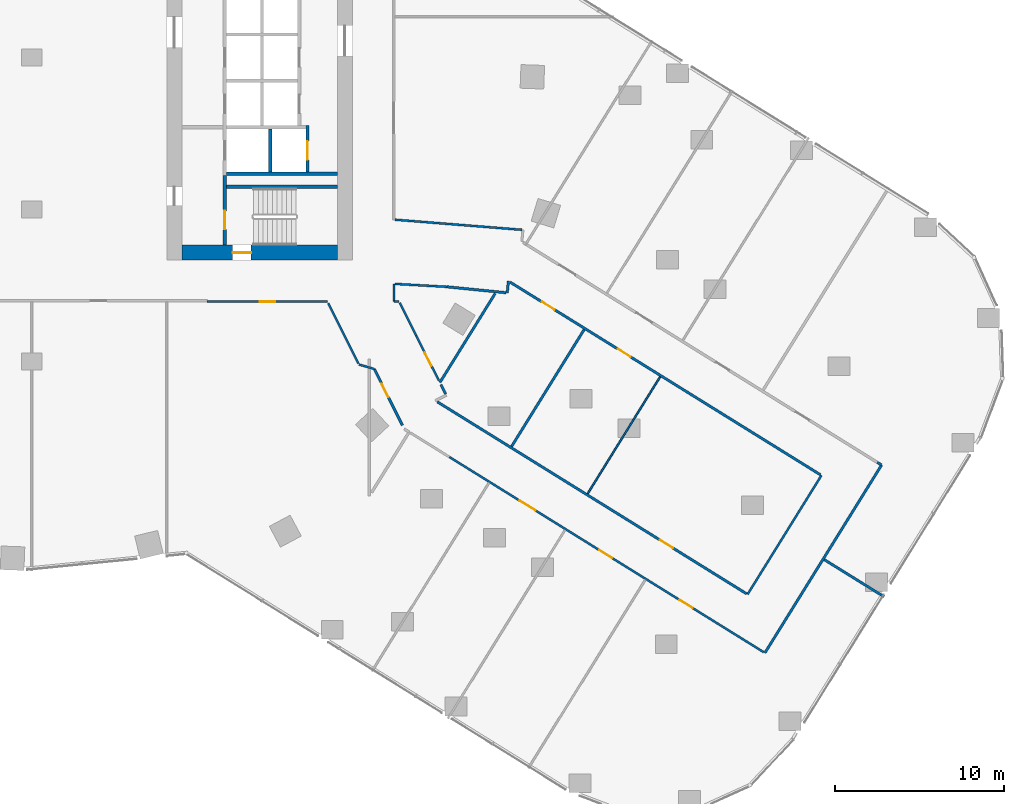
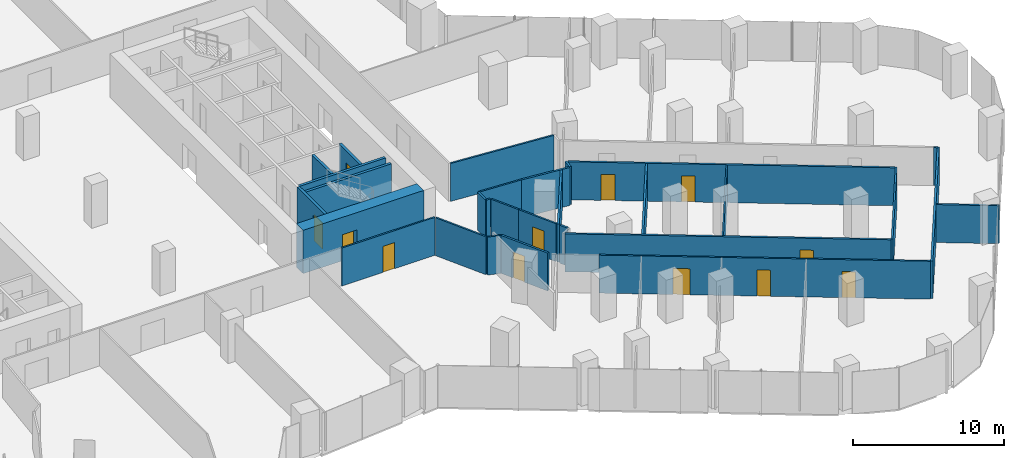
# One storey, part 30 of 34: 29 walls, 12 doors, 12 openings.
"""IFC4 building model written with IfcOpenShell, lengths in metres."""

from ifc_helpers import new_model, si_unit, direction, frame, frame_2d, origin, place, context, subcontext, project, spatial, rectangle, extrude, material, layer, layer_set, type_object, element, fill, save


model = new_model("IFC4")

# Units and contexts
model_context = context("Model", 3, precision=1e-05, world=origin(), true_north=direction((0.0, 1.0)))
body_context = subcontext(model_context, "Body", "Model", "MODEL_VIEW")
ifc_project = project(units=[si_unit("LENGTHUNIT", "METRE"), si_unit("AREAUNIT", "SQUARE_METRE"), si_unit("VOLUMEUNIT", "CUBIC_METRE"), si_unit("PLANEANGLEUNIT", "RADIAN"), si_unit("MASSUNIT", "GRAM", prefix="KILO")], contexts=[model_context])

# Site, building, storey
site_placement = place(None, origin())
site = spatial("IfcSite", under=ifc_project, at=site_placement, CompositionType="ELEMENT")
building_placement = place(site_placement, origin())
building = spatial("IfcBuilding", under=site, at=building_placement, Name="Orlundy Tower", CompositionType="ELEMENT")
storey_placement = place(building_placement, frame((0.0, 0.0, 47.800048828125)))
storey = spatial("IfcBuildingStorey", under=building, at=storey_placement, Name="L10", CompositionType="ELEMENT", Elevation=47.800048828125)

# Wall, opening, door
ifc_material_1 = material(Name="Concrete C80/95", Category="concrete")
ifc_layer_1 = layer(ifc_material_1, 0.89990234375)
ifc_layer_set_1 = layer_set([ifc_layer_1], Name="CORE WALL 900 C80/95")
wall_type_1 = type_object("IfcWallType", Name="CORE WALL 900 C80/95", PredefinedType="SHEAR", material=ifc_layer_set_1)
wall_1_placement = place(storey_placement, frame((8.89990234375, -11.550048828125, 0.0), z_axis=(0.0, 0.0, 1.0), x_axis=(1.0, 0.0, 0.0)))
wall_1 = element("IfcWall", 1, at=wall_1_placement, inside=storey, type_object=wall_type_1, Name="Core wall E-S L10", PredefinedType="SHEAR", context=body_context, shape_type="SweptSolid", body=[
    extrude(rectangle(XDim=9.2001953125, YDim=0.89990234375, at=frame_2d((4.60009765625, 0.0))), origin(), (0.0, 0.0, 1.0), 3.5),
])
opening_1_placement = place(wall_1_placement, frame((3.0, 0.0, 0.0)))
opening_1 = element("IfcOpeningElement", 2, at=opening_1_placement, cuts=wall_1, Name="Opening 09061", PredefinedType="OPENING", context=body_context, shape_type="SweptSolid", body=[
    extrude(rectangle(XDim=1.10009765625, YDim=2.10009765625, at=frame_2d((0.550048828125, 1.050048828125))), frame((0.0, 0.4599609375, 0.0), z_axis=(0.0, -1.0, 0.0), x_axis=(1.0, 0.0, 0.0)), (0.0, 0.0, 1.0), 0.919921875),
])
ifc_material_2 = material(Name="Steel door set", Category="steel")
door_type_1 = type_object("IfcDoorType", Name="Stair Door 1100x2100", OperationType="SINGLE_SWING_LEFT", PredefinedType="DOOR", material=ifc_material_2)
door_1_placement = place(opening_1_placement, origin())
door_1 = element("IfcDoor", 3, at=door_1_placement, inside=storey, type_object=door_type_1, Name="Stair door 09061", OperationType="SINGLE_SWING_LEFT", OverallHeight=2.10009765625, OverallWidth=1.10009765625, PredefinedType="DOOR", context=body_context, shape_type="SweptSolid", body=[
    extrude(rectangle(XDim=1.10009765625, YDim=2.10009765625, at=frame_2d((0.550048828125, 1.050048828125))), frame((0.0, 0.02490234375, 0.0), z_axis=(0.0, -1.0, 0.0), x_axis=(1.0, 0.0, 0.0)), (0.0, 0.0, 1.0), 0.050048828125),
])
fill(opening_1, door_1)

# Walls
ifc_material_3 = material(Name="Gypsum board partition")
ifc_layer_2 = layer(ifc_material_3, 0.10009765625)
ifc_layer_set_2 = layer_set([ifc_layer_2], Name="Floor partition 100")
wall_type_2 = type_object("IfcWallType", Name="Floor partition 100", PredefinedType="PARTITIONING", material=ifc_layer_set_2)
wall_2_placement = place(storey_placement, frame((32.930908203125, -25.827880859375, 0.0), z_axis=(0.0, 0.0, 1.0), x_axis=(0.527378524743, 0.849630444158, 0.0)))
element("IfcWall", 4, at=wall_2_placement, inside=storey, type_object=wall_type_2, Name="wall-int-L10-061", PredefinedType="PARTITIONING", context=body_context, shape_type="SweptSolid", body=[
    extrude(rectangle(XDim=8.148193359375, YDim=0.10009765625, at=frame_2d((4.07421875, 0.0))), origin(), (0.0, 0.0, 1.0), 3.06005859375),
])
ifc_material_4 = material(Name="Gypsum board partition, double layer")
ifc_layer_3 = layer(ifc_material_4, 0.125)
ifc_layer_set_3 = layer_set([ifc_layer_3], Name="Floor partition 125")
wall_type_3 = type_object("IfcWallType", Name="Floor partition 125", PredefinedType="PARTITIONING", material=ifc_layer_set_3)
wall_3_placement = place(storey_placement, frame((17.56396484375, -14.541015625, 0.0), z_axis=(0.0, 0.0, 1.0), x_axis=(0.446749443477, -0.894659116509, 0.0)))
element("IfcWall", 5, at=wall_3_placement, inside=storey, type_object=wall_type_3, Name="wall-int-L10-002", PredefinedType="PARTITIONING", context=body_context, shape_type="SweptSolid", body=[
    extrude(rectangle(XDim=3.998046875, YDim=0.125, at=frame_2d((1.9990234375, 0.0))), origin(), (0.0, 0.0, 1.0), 3.06005859375),
])
wall_4_placement = place(storey_placement, frame((21.804931640625, -14.527099609375, 0.0), z_axis=(0.0, 0.0, 1.0), x_axis=(0.446720903114, -0.894673367616, 0.0)))
element("IfcWall", 6, at=wall_4_placement, inside=storey, type_object=wall_type_3, Name="wall-int-L10-004", PredefinedType="PARTITIONING", context=body_context, shape_type="SweptSolid", body=[
    extrude(rectangle(XDim=2.1806640625, YDim=0.125, at=frame_2d((1.09033203125, 0.0))), origin(), (0.0, 0.0, 1.0), 3.06005859375),
])

# Wall, opening, door
wall_5_placement = place(storey_placement, frame((22.779052734375, -16.47802734375, 0.0), z_axis=(0.0, 0.0, 1.0), x_axis=(0.451638349486, -0.892201099121, 0.0)))
wall_5 = element("IfcWall", 7, at=wall_5_placement, inside=storey, type_object=wall_type_3, Name="wall-int-L10-006", PredefinedType="PARTITIONING", context=body_context, shape_type="SweptSolid", body=[
    extrude(rectangle(XDim=2.975830078125, YDim=0.125, at=frame_2d((1.48779296875, 0.0))), origin(), (0.0, 0.0, 1.0), 3.06005859375),
])
opening_2_placement = place(wall_5_placement, frame((1.10009765625, 0.0, 0.0)))
opening_2 = element("IfcOpeningElement", 8, at=opening_2_placement, cuts=wall_5, Name="Opening 09128", PredefinedType="OPENING", context=body_context, shape_type="SweptSolid", body=[
    extrude(rectangle(XDim=0.89990234375, YDim=2.10009765625, at=frame_2d((0.449951171875, 1.050048828125))), frame((0.0, 0.072509765625, 0.0), z_axis=(0.0, -1.0, 0.0), x_axis=(1.0, 0.0, 0.0)), (0.0, 0.0, 1.0), 0.14501953125),
])
ifc_material_5 = material(Name="Timber door leaf", Category="wood")
door_type_2 = type_object("IfcDoorType", Name="Floor door single 900 FD30S", OperationType="NOTDEFINED", PredefinedType="DOOR", material=ifc_material_5)
door_2_placement = place(opening_2_placement, origin())
door_2 = element("IfcDoor", 9, at=door_2_placement, inside=storey, type_object=door_type_2, Name="Door 09128", OperationType="SINGLE_SWING_RIGHT", OverallHeight=2.10009765625, OverallWidth=0.89990234375, PredefinedType="DOOR", context=body_context, shape_type="SweptSolid", body=[
    extrude(rectangle(XDim=0.89990234375, YDim=2.10009765625, at=frame_2d((0.449951171875, 1.050048828125))), frame((0.0, 0.02490234375, 0.0), z_axis=(0.0, -1.0, 0.0), x_axis=(1.0, 0.0, 0.0)), (0.0, 0.0, 1.0), 0.050048828125),
])
fill(opening_2, door_2)

# Wall, openings, doors
wall_6_placement = place(storey_placement, frame((43.366943359375, -35.222900390625, 0.0), z_axis=(0.0, 0.0, 1.0), x_axis=(-0.849563429412, 0.527486473197, 0.0)))
wall_6 = element("IfcWall", 10, at=wall_6_placement, inside=storey, type_object=wall_type_3, Name="wall-int-L10-021", PredefinedType="PARTITIONING", context=body_context, shape_type="SweptSolid", body=[
    extrude(rectangle(XDim=21.926513671875, YDim=0.125, at=frame_2d((10.96337890625, 0.0))), origin(), (0.0, 0.0, 1.0), 3.06005859375),
])
opening_3_placement = place(wall_6_placement, frame((10.57373046875, 0.0, 0.0)))
opening_3 = element("IfcOpeningElement", 11, at=opening_3_placement, cuts=wall_6, Name="Opening 09105", PredefinedType="OPENING", context=body_context, shape_type="SweptSolid", body=[
    extrude(rectangle(XDim=0.89990234375, YDim=2.10009765625, at=frame_2d((0.449951171875, 1.050048828125))), frame((0.0, 0.072509765625, 0.0), z_axis=(0.0, -1.0, 0.0), x_axis=(1.0, 0.0, 0.0)), (0.0, 0.0, 1.0), 0.14501953125),
])
opening_4_placement = place(wall_6_placement, frame((4.97314453125, 0.0, 0.0)))
opening_4 = element("IfcOpeningElement", 12, at=opening_4_placement, cuts=wall_6, Name="Opening 09108", PredefinedType="OPENING", context=body_context, shape_type="SweptSolid", body=[
    extrude(rectangle(XDim=0.89990234375, YDim=2.10009765625, at=frame_2d((0.449951171875, 1.050048828125))), frame((0.0, 0.072509765625, 0.0), z_axis=(0.0, -1.0, 0.0), x_axis=(1.0, 0.0, 0.0)), (0.0, 0.0, 1.0), 0.14501953125),
])
opening_5_placement = place(wall_6_placement, frame((15.922607421875, 0.0, 0.0)))
opening_5 = element("IfcOpeningElement", 13, at=opening_5_placement, cuts=wall_6, Name="Opening 09109", PredefinedType="OPENING", context=body_context, shape_type="SweptSolid", body=[
    extrude(rectangle(XDim=1.10009765625, YDim=2.10009765625, at=frame_2d((0.550048828125, 1.050048828125))), frame((0.0, 0.072509765625, 0.0), z_axis=(0.0, -1.0, 0.0), x_axis=(1.0, 0.0, 0.0)), (0.0, 0.0, 1.0), 0.14501953125),
])
door_3_placement = place(opening_3_placement, origin())
door_3 = element("IfcDoor", 14, at=door_3_placement, inside=storey, type_object=door_type_2, Name="Door 09105", OperationType="SINGLE_SWING_RIGHT", OverallHeight=2.10009765625, OverallWidth=0.89990234375, PredefinedType="DOOR", context=body_context, shape_type="SweptSolid", body=[
    extrude(rectangle(XDim=0.89990234375, YDim=2.10009765625, at=frame_2d((0.449951171875, 1.050048828125))), frame((0.0, 0.02490234375, 0.0), z_axis=(0.0, -1.0, 0.0), x_axis=(1.0, 0.0, 0.0)), (0.0, 0.0, 1.0), 0.050048828125),
])
fill(opening_3, door_3)
door_4_placement = place(opening_4_placement, origin())
door_4 = element("IfcDoor", 15, at=door_4_placement, inside=storey, type_object=door_type_2, Name="Door 09108", OperationType="SINGLE_SWING_LEFT", OverallHeight=2.10009765625, OverallWidth=0.89990234375, PredefinedType="DOOR", context=body_context, shape_type="SweptSolid", body=[
    extrude(rectangle(XDim=0.89990234375, YDim=2.10009765625, at=frame_2d((0.449951171875, 1.050048828125))), frame((0.0, 0.02490234375, 0.0), z_axis=(0.0, -1.0, 0.0), x_axis=(1.0, 0.0, 0.0)), (0.0, 0.0, 1.0), 0.050048828125),
])
fill(opening_4, door_4)
ifc_material_6 = material(Name="Timber door leaf", Category="wood")
door_type_3 = type_object("IfcDoorType", Name="Floor door xwide 1100 FD30S", OperationType="NOTDEFINED", PredefinedType="DOOR", material=ifc_material_6)
door_5_placement = place(opening_5_placement, origin())
door_5 = element("IfcDoor", 16, at=door_5_placement, inside=storey, type_object=door_type_3, Name="Door 09109", OperationType="SINGLE_SWING_RIGHT", OverallHeight=2.10009765625, OverallWidth=1.10009765625, PredefinedType="DOOR", context=body_context, shape_type="SweptSolid", body=[
    extrude(rectangle(XDim=1.10009765625, YDim=2.10009765625, at=frame_2d((0.550048828125, 1.050048828125))), frame((0.0, 0.02490234375, 0.0), z_axis=(0.0, -1.0, 0.0), x_axis=(1.0, 0.0, 0.0)), (0.0, 0.0, 1.0), 0.050048828125),
])
fill(opening_5, door_5)

# Walls
wall_7_placement = place(storey_placement, frame((24.60400390625, -13.576904296875, 0.0), z_axis=(0.0, 0.0, 1.0), x_axis=(-0.998441130735, 0.055814948327, 0.0)))
element("IfcWall", 17, at=wall_7_placement, inside=storey, type_object=wall_type_3, Name="wall-int-L10-030", PredefinedType="PARTITIONING", context=body_context, shape_type="SweptSolid", body=[
    extrude(rectangle(XDim=3.096923828125, YDim=0.125, at=frame_2d((1.54833984375, 0.0))), origin(), (0.0, 0.0, 1.0), 3.06005859375),
])
wall_8_placement = place(storey_placement, frame((29.0400390625, -10.198974609375, 0.0), z_axis=(0.0, 0.0, 1.0), x_axis=(-0.996840412967, 0.079430416561, 0.0)))
element("IfcWall", 18, at=wall_8_placement, inside=storey, type_object=wall_type_3, Name="wall-int-L10-031", PredefinedType="PARTITIONING", context=body_context, shape_type="SweptSolid", body=[
    extrude(rectangle(XDim=7.552001953125, YDim=0.125, at=frame_2d((3.77587890625, 0.0))), origin(), (0.0, 0.0, 1.0), 3.06005859375),
])

# Wall, opening, door
wall_9_placement = place(storey_placement, frame((17.51904296875, -14.450927734375, 0.0), z_axis=(0.0, 0.0, 1.0), x_axis=(-1.0, 0.0, 0.0)))
wall_9 = element("IfcWall", 19, at=wall_9_placement, inside=storey, type_object=wall_type_3, Name="wall-int-L10-035", PredefinedType="PARTITIONING", context=body_context, shape_type="SweptSolid", body=[
    extrude(rectangle(XDim=7.1279296875, YDim=0.125, at=frame_2d((3.56396484375, 0.0))), origin(), (0.0, 0.0, 1.0), 3.06005859375),
])
opening_6_placement = place(wall_9_placement, frame((3.10009765625, 0.0, 0.0)))
opening_6 = element("IfcOpeningElement", 20, at=opening_6_placement, cuts=wall_9, Name="Opening 09127", PredefinedType="OPENING", context=body_context, shape_type="SweptSolid", body=[
    extrude(rectangle(XDim=0.89990234375, YDim=2.10009765625, at=frame_2d((0.449951171875, 1.050048828125))), frame((0.0, 0.072509765625, 0.0), z_axis=(0.0, -1.0, 0.0), x_axis=(1.0, 0.0, 0.0)), (0.0, 0.0, 1.0), 0.14501953125),
])
door_6_placement = place(opening_6_placement, origin())
door_6 = element("IfcDoor", 21, at=door_6_placement, inside=storey, type_object=door_type_2, Name="Door 09127", OperationType="SINGLE_SWING_LEFT", OverallHeight=2.10009765625, OverallWidth=0.89990234375, PredefinedType="DOOR", context=body_context, shape_type="SweptSolid", body=[
    extrude(rectangle(XDim=0.89990234375, YDim=2.10009765625, at=frame_2d((0.449951171875, 1.050048828125))), frame((0.0, 0.02490234375, 0.0), z_axis=(0.0, -1.0, 0.0), x_axis=(1.0, 0.0, 0.0)), (0.0, 0.0, 1.0), 0.050048828125),
])
fill(opening_6, door_6)

# Walls
wall_10_placement = place(storey_placement, frame((21.449951171875, -14.43896484375, 0.0), z_axis=(0.0, 0.0, 1.0), x_axis=(1.0, 0.0, 0.0)))
element("IfcWall", 22, at=wall_10_placement, inside=storey, type_object=wall_type_3, Name="wall-int-L10-036", PredefinedType="PARTITIONING", context=body_context, shape_type="SweptSolid", body=[
    extrude(rectangle(XDim=0.302001953125, YDim=0.125, at=frame_2d((0.15087890625, 0.0))), origin(), (0.0, 0.0, 1.0), 3.06005859375),
])
wall_11_placement = place(storey_placement, frame((19.37890625, -18.175048828125, 0.0), z_axis=(0.0, 0.0, 1.0), x_axis=(0.958442111331, -0.285287082127, 0.0)))
element("IfcWall", 23, at=wall_11_placement, inside=storey, type_object=wall_type_3, Name="wall-int-L10-045", PredefinedType="PARTITIONING", context=body_context, shape_type="SweptSolid", body=[
    extrude(rectangle(XDim=0.956787109375, YDim=0.125, at=frame_2d((0.478515625, 0.0))), origin(), (0.0, 0.0, 1.0), 3.06005859375),
])
wall_12_placement = place(storey_placement, frame((42.405029296875, -31.799072265625, 0.0), z_axis=(0.0, 0.0, 1.0), x_axis=(0.527540070889, 0.849530148733, 0.0)))
element("IfcWall", 24, at=wall_12_placement, inside=storey, type_object=wall_type_3, Name="wall-int-L10-057", PredefinedType="PARTITIONING", context=body_context, shape_type="SweptSolid", body=[
    extrude(rectangle(XDim=8.298828125, YDim=0.125, at=frame_2d((4.1494140625, 0.0))), origin(), (0.0, 0.0, 1.0), 3.06005859375),
])
wall_13_placement = place(storey_placement, frame((21.449951171875, -14.43896484375, 0.0), z_axis=(0.0, 0.0, 1.0), x_axis=(0.0, 1.0, 0.0)))
element("IfcWall", 25, at=wall_13_placement, inside=storey, type_object=wall_type_3, Name="wall-int-L10-074", PredefinedType="PARTITIONING", context=body_context, shape_type="SweptSolid", body=[
    extrude(rectangle(XDim=1.0390625, YDim=0.125, at=frame_2d((0.51953125, 0.0))), origin(), (0.0, 0.0, 1.0), 3.06005859375),
])

# Wall, opening, door
ifc_material_7 = material(Name="Blockwork shaft wall", Category="masonry")
ifc_layer_4 = layer(ifc_material_7, 0.14990234375)
ifc_layer_set_4 = layer_set([ifc_layer_4], Name="Floor shaft wall 150")
wall_type_4 = type_object("IfcWallType", Name="Floor shaft wall 150", PredefinedType="PARTITIONING", material=ifc_layer_set_4)
wall_14_placement = place(storey_placement, frame((21.95703125, -21.77587890625, 0.0), z_axis=(0.0, 0.0, 1.0), x_axis=(-0.446609612261, 0.894728927797, 0.0)))
wall_14 = element("IfcWall", 26, at=wall_14_placement, inside=storey, type_object=wall_type_4, Name="wall-int-L10-003", PredefinedType="PARTITIONING", context=body_context, shape_type="SweptSolid", body=[
    extrude(rectangle(XDim=3.719482421875, YDim=0.14990234375, at=frame_2d((1.85986328125, 0.0))), origin(), (0.0, 0.0, 1.0), 3.06005859375),
])
opening_7_placement = place(wall_14_placement, frame((1.85009765625, 0.0, 0.0)))
opening_7 = element("IfcOpeningElement", 27, at=opening_7_placement, cuts=wall_14, Name="Opening 09120", PredefinedType="OPENING", context=body_context, shape_type="SweptSolid", body=[
    extrude(rectangle(XDim=0.89990234375, YDim=2.10009765625, at=frame_2d((0.449951171875, 1.050048828125))), frame((0.0, 0.0849609375, 0.0), z_axis=(0.0, -1.0, 0.0), x_axis=(1.0, 0.0, 0.0)), (0.0, 0.0, 1.0), 0.169921875),
])
ifc_material_8 = material(Name="Timber door leaf", Category="wood")
door_type_4 = type_object("IfcDoorType", Name="Floor door single 900 FD60", OperationType="NOTDEFINED", PredefinedType="DOOR", material=ifc_material_8)
door_7_placement = place(opening_7_placement, origin())
door_7 = element("IfcDoor", 28, at=door_7_placement, inside=storey, type_object=door_type_4, Name="Door 09120", OperationType="SINGLE_SWING_RIGHT", OverallHeight=2.10009765625, OverallWidth=0.89990234375, PredefinedType="DOOR", context=body_context, shape_type="SweptSolid", body=[
    extrude(rectangle(XDim=0.89990234375, YDim=2.10009765625, at=frame_2d((0.449951171875, 1.050048828125))), frame((0.0, 0.02490234375, 0.0), z_axis=(0.0, -1.0, 0.0), x_axis=(1.0, 0.0, 0.0)), (0.0, 0.0, 1.0), 0.050048828125),
])
fill(opening_7, door_7)

# Wall
wall_15_placement = place(storey_placement, frame((24.239990234375, -19.364013671875, 0.0), z_axis=(0.0, 0.0, 1.0), x_axis=(0.451527001133, -0.892257455698, 0.0)))
element("IfcWall", 29, at=wall_15_placement, inside=storey, type_object=wall_type_4, Name="wall-int-L10-005", PredefinedType="PARTITIONING", context=body_context, shape_type="SweptSolid", body=[
    extrude(rectangle(XDim=0.633056640625, YDim=0.14990234375, at=frame_2d((0.31640625, 0.0))), origin(), (0.0, 0.0, 1.0), 3.06005859375),
])

# Wall, opening, door
wall_16_placement = place(storey_placement, frame((24.028076171875, -20.389892578125, 0.0), z_axis=(0.0, 0.0, 1.0), x_axis=(0.8496545068, -0.527339756775, 0.0)))
wall_16 = element("IfcWall", 30, at=wall_16_placement, inside=storey, type_object=wall_type_4, Name="wall-int-L10-022", PredefinedType="PARTITIONING", context=body_context, shape_type="SweptSolid", body=[
    extrude(rectangle(XDim=21.568603515625, YDim=0.14990234375, at=frame_2d((10.7841796875, 0.0))), origin(), (0.0, 0.0, 1.0), 3.06005859375),
])
opening_8_placement = place(wall_16_placement, frame((15.53173828125, 0.0, 0.0)))
opening_8 = element("IfcOpeningElement", 31, at=opening_8_placement, cuts=wall_16, Name="Opening 09106", PredefinedType="OPENING", context=body_context, shape_type="SweptSolid", body=[
    extrude(rectangle(XDim=0.89990234375, YDim=2.10009765625, at=frame_2d((0.449951171875, 1.050048828125))), frame((0.0, 0.0849609375, 0.0), z_axis=(0.0, -1.0, 0.0), x_axis=(1.0, 0.0, 0.0)), (0.0, 0.0, 1.0), 0.169921875),
])
door_8_placement = place(opening_8_placement, origin())
door_8 = element("IfcDoor", 32, at=door_8_placement, inside=storey, type_object=door_type_4, Name="Door 09106", OperationType="SINGLE_SWING_RIGHT", OverallHeight=2.10009765625, OverallWidth=0.89990234375, PredefinedType="DOOR", context=body_context, shape_type="SweptSolid", body=[
    extrude(rectangle(XDim=0.89990234375, YDim=2.10009765625, at=frame_2d((0.449951171875, 1.050048828125))), frame((0.0, 0.02490234375, 0.0), z_axis=(0.0, -1.0, 0.0), x_axis=(1.0, 0.0, 0.0)), (0.0, 0.0, 1.0), 0.050048828125),
])
fill(opening_8, door_8)

# Wall
wall_17_placement = place(storey_placement, frame((46.952880859375, -29.739013671875, 0.0), z_axis=(0.0, 0.0, 1.0), x_axis=(0.849653722919, -0.527341019767, 0.0)))
element("IfcWall", 33, at=wall_17_placement, inside=storey, type_object=wall_type_4, Name="wall-int-L10-023", PredefinedType="PARTITIONING", context=body_context, shape_type="SweptSolid", body=[
    extrude(rectangle(XDim=4.173583984375, YDim=0.14990234375, at=frame_2d((2.0869140625, 0.0))), origin(), (0.0, 0.0, 1.0), 3.06005859375),
])

# Wall, openings, doors
wall_18_placement = place(storey_placement, frame((46.72998046875, -24.716064453125, 0.0), z_axis=(0.0, 0.0, 1.0), x_axis=(-0.849574284109, 0.527468990349, 0.0)))
wall_18 = element("IfcWall", 34, at=wall_18_placement, inside=storey, type_object=wall_type_4, Name="wall-int-L10-024", PredefinedType="PARTITIONING", context=body_context, shape_type="SweptSolid", body=[
    extrude(rectangle(XDim=21.644775390625, YDim=0.14990234375, at=frame_2d((10.822265625, 0.0))), origin(), (0.0, 0.0, 1.0), 3.06005859375),
])
opening_9_placement = place(wall_18_placement, frame((18.537109375, 0.0, 0.0)))
opening_9 = element("IfcOpeningElement", 35, at=opening_9_placement, cuts=wall_18, Name="Opening 09102", PredefinedType="OPENING", context=body_context, shape_type="SweptSolid", body=[
    extrude(rectangle(XDim=0.89990234375, YDim=2.10009765625, at=frame_2d((0.449951171875, 1.050048828125))), frame((0.0, 0.0849609375, 0.0), z_axis=(0.0, -1.0, 0.0), x_axis=(1.0, 0.0, 0.0)), (0.0, 0.0, 1.0), 0.169921875),
])
opening_10_placement = place(wall_18_placement, frame((13.2373046875, 0.0, 0.0)))
opening_10 = element("IfcOpeningElement", 36, at=opening_10_placement, cuts=wall_18, Name="Opening 09103", PredefinedType="OPENING", context=body_context, shape_type="SweptSolid", body=[
    extrude(rectangle(XDim=0.89990234375, YDim=2.10009765625, at=frame_2d((0.449951171875, 1.050048828125))), frame((0.0, 0.0849609375, 0.0), z_axis=(0.0, -1.0, 0.0), x_axis=(1.0, 0.0, 0.0)), (0.0, 0.0, 1.0), 0.169921875),
])
door_9_placement = place(opening_9_placement, origin())
door_9 = element("IfcDoor", 37, at=door_9_placement, inside=storey, type_object=door_type_4, Name="Door 09102", OperationType="SINGLE_SWING_RIGHT", OverallHeight=2.10009765625, OverallWidth=0.89990234375, PredefinedType="DOOR", context=body_context, shape_type="SweptSolid", body=[
    extrude(rectangle(XDim=0.89990234375, YDim=2.10009765625, at=frame_2d((0.449951171875, 1.050048828125))), frame((0.0, 0.02490234375, 0.0), z_axis=(0.0, -1.0, 0.0), x_axis=(1.0, 0.0, 0.0)), (0.0, 0.0, 1.0), 0.050048828125),
])
fill(opening_9, door_9)
door_10_placement = place(opening_10_placement, origin())
door_10 = element("IfcDoor", 38, at=door_10_placement, inside=storey, type_object=door_type_4, Name="Door 09103", OperationType="SINGLE_SWING_RIGHT", OverallHeight=2.10009765625, OverallWidth=0.89990234375, PredefinedType="DOOR", context=body_context, shape_type="SweptSolid", body=[
    extrude(rectangle(XDim=0.89990234375, YDim=2.10009765625, at=frame_2d((0.449951171875, 1.050048828125))), frame((0.0, 0.02490234375, 0.0), z_axis=(0.0, -1.0, 0.0), x_axis=(1.0, 0.0, 0.0)), (0.0, 0.0, 1.0), 0.050048828125),
])
fill(opening_10, door_10)

# Walls
wall_19_placement = place(storey_placement, frame((50.087890625, -23.97509765625, 0.0), z_axis=(0.0, 0.0, 1.0), x_axis=(0.850230466056, -0.526410633051, 0.0)))
element("IfcWall", 39, at=wall_19_placement, inside=storey, type_object=wall_type_4, Name="wall-int-L10-025", PredefinedType="PARTITIONING", context=body_context, shape_type="SweptSolid", body=[
    extrude(rectangle(XDim=0.300048828125, YDim=0.14990234375, at=frame_2d((0.14990234375, 0.0))), origin(), (0.0, 0.0, 1.0), 3.06005859375),
])
wall_20_placement = place(storey_placement, frame((24.60400390625, -13.576904296875, 0.0), z_axis=(0.0, 0.0, 1.0), x_axis=(0.995072238477, -0.099152610724, 0.0)))
element("IfcWall", 40, at=wall_20_placement, inside=storey, type_object=wall_type_4, Name="wall-int-L10-029", PredefinedType="PARTITIONING", context=body_context, shape_type="SweptSolid", body=[
    extrude(rectangle(XDim=3.51123046875, YDim=0.14990234375, at=frame_2d((1.755615234375, 0.0))), origin(), (0.0, 0.0, 1.0), 3.06005859375),
])
wall_21_placement = place(storey_placement, frame((43.43408203125, -35.262939453125, 0.0), z_axis=(0.0, 0.0, 1.0), x_axis=(0.527631447849, 0.849473398783, 0.0)))
element("IfcWall", 41, at=wall_21_placement, inside=storey, type_object=wall_type_4, Name="wall-int-L10-056", PredefinedType="PARTITIONING", context=body_context, shape_type="SweptSolid", body=[
    extrude(rectangle(XDim=13.099853515625, YDim=0.14990234375, at=frame_2d((6.5498046875, 0.0))), origin(), (0.0, 0.0, 1.0), 3.06005859375),
])
wall_22_placement = place(storey_placement, frame((28.427978515625, -23.031982421875, 0.0), z_axis=(0.0, 0.0, 1.0), x_axis=(0.527432232041, 0.84959710487, 0.0)))
element("IfcWall", 42, at=wall_22_placement, inside=storey, type_object=wall_type_4, Name="wall-int-L10-064", PredefinedType="PARTITIONING", context=body_context, shape_type="SweptSolid", body=[
    extrude(rectangle(XDim=8.147216796875, YDim=0.14990234375, at=frame_2d((4.07373046875, 0.0))), origin(), (0.0, 0.0, 1.0), 3.06005859375),
])
wall_23_placement = place(storey_placement, frame((24.179931640625, -19.2451171875, 0.0), z_axis=(0.0, 0.0, 1.0), x_axis=(0.527399070795, 0.849617690567, 0.0)))
element("IfcWall", 43, at=wall_23_placement, inside=storey, type_object=wall_type_4, Name="wall-int-L10-067", PredefinedType="PARTITIONING", context=body_context, shape_type="SweptSolid", body=[
    extrude(rectangle(XDim=6.2099609375, YDim=0.14990234375, at=frame_2d((3.10498046875, 0.0))), origin(), (0.0, 0.0, 1.0), 3.06005859375),
])
wall_24_placement = place(storey_placement, frame((28.1689453125, -13.931884765625, 0.0), z_axis=(0.0, 0.0, 1.0), x_axis=(0.100195004938, 0.99496781907, 0.0)))
element("IfcWall", 44, at=wall_24_placement, inside=storey, type_object=wall_type_4, Name="wall-int-L10-072", PredefinedType="PARTITIONING", context=body_context, shape_type="SweptSolid", body=[
    extrude(rectangle(XDim=0.69921875, YDim=0.14990234375, at=frame_2d((0.349609375, 0.0))), origin(), (0.0, 0.0, 1.0), 3.06005859375),
])

# Wall, opening, door
ifc_material_9 = material(Name="Concrete C40/50", Category="concrete")
ifc_layer_5 = layer(ifc_material_9, 0.199951171875)
ifc_layer_set_5 = layer_set([ifc_layer_5], Name="Load-bearing Shaft Wall 200")
wall_type_5 = type_object("IfcWallType", Name="Load-bearing Shaft Wall 200", PredefinedType="SOLIDWALL", material=ifc_layer_set_5)
wall_25_placement = place(storey_placement, frame((11.43994140625, -6.97509765625, 0.0), z_axis=(0.0, 0.0, 1.0), x_axis=(0.0, -1.0, 0.0)))
wall_25 = element("IfcWall", 45, at=wall_25_placement, inside=storey, type_object=wall_type_5, Name="Shaft wall E09-stair-end-n", PredefinedType="SOLIDWALL", context=body_context, shape_type="SweptSolid", body=[
    extrude(rectangle(XDim=4.125, YDim=0.199951171875, at=frame_2d((2.0625, 0.0))), origin(), (0.0, 0.0, 1.0), 3.079833984375),
])
opening_11_placement = place(wall_25_placement, frame((2.10009765625, 0.0, 0.0)))
opening_11 = element("IfcOpeningElement", 46, at=opening_11_placement, cuts=wall_25, Name="Opening 09063", PredefinedType="OPENING", context=body_context, shape_type="SweptSolid", body=[
    extrude(rectangle(XDim=1.10009765625, YDim=2.10009765625, at=frame_2d((0.550048828125, 1.050048828125))), frame((0.0, 0.110107421875, 0.0), z_axis=(0.0, -1.0, 0.0), x_axis=(1.0, 0.0, 0.0)), (0.0, 0.0, 1.0), 0.22021484375),
])
ifc_material_10 = material(Name="Steel door set", Category="steel")
door_type_5 = type_object("IfcDoorType", Name="Fire-fighting Lobby Door 1100x2100", OperationType="SINGLE_SWING_LEFT", PredefinedType="DOOR", material=ifc_material_10)
door_11_placement = place(opening_11_placement, origin())
door_11 = element("IfcDoor", 47, at=door_11_placement, inside=storey, type_object=door_type_5, Name="Fire-fighting lobby to stair door 09063", OperationType="SINGLE_SWING_RIGHT", OverallHeight=2.10009765625, OverallWidth=1.10009765625, PredefinedType="DOOR", context=body_context, shape_type="SweptSolid", body=[
    extrude(rectangle(XDim=1.10009765625, YDim=2.10009765625, at=frame_2d((0.550048828125, 1.050048828125))), frame((0.0, 0.02490234375, 0.0), z_axis=(0.0, -1.0, 0.0), x_axis=(1.0, 0.0, 0.0)), (0.0, 0.0, 1.0), 0.050048828125),
])
fill(opening_11, door_11)

# Walls
wall_26_placement = place(storey_placement, frame((11.5400390625, -7.64990234375, 0.0), z_axis=(0.0, 0.0, 1.0), x_axis=(1.0, 0.0, 0.0)))
element("IfcWall", 48, at=wall_26_placement, inside=storey, type_object=wall_type_5, Name="Shaft wall E09-stair-side-n", PredefinedType="SOLIDWALL", context=body_context, shape_type="SweptSolid", body=[
    extrude(rectangle(XDim=6.56005859375, YDim=0.199951171875, at=frame_2d((3.280029296875, 0.0))), origin(), (0.0, 0.0, 1.0), 3.079833984375),
])
ifc_material_11 = material(Name="Fire-rated blockwork shaft wall", Category="masonry")
ifc_layer_6 = layer(ifc_material_11, 0.199951171875)
ifc_layer_set_6 = layer_set([ifc_layer_6], Name="Shaft Wall 200")
wall_type_6 = type_object("IfcWallType", Name="Shaft Wall 200", PredefinedType="SOLIDWALL", material=ifc_layer_set_6)
wall_27_placement = place(storey_placement, frame((11.5400390625, -6.875, 0.0), z_axis=(0.0, 0.0, 1.0), x_axis=(1.0, 0.0, 0.0)))
element("IfcWall", 49, at=wall_27_placement, inside=storey, type_object=wall_type_6, Name="Shaft wall E09-zone-n", PredefinedType="SOLIDWALL", context=body_context, shape_type="SweptSolid", body=[
    extrude(rectangle(XDim=6.56005859375, YDim=0.199951171875, at=frame_2d((3.280029296875, 0.0))), origin(), (0.0, 0.0, 1.0), 3.079833984375),
])
wall_28_placement = place(storey_placement, frame((14.139892578125, -4.22509765625, 0.0), z_axis=(0.0, 0.0, 1.0), x_axis=(0.0, -1.0, 0.0)))
element("IfcWall", 50, at=wall_28_placement, inside=storey, type_object=wall_type_6, Name="Shaft wall E09-mid-b", PredefinedType="SOLIDWALL", context=body_context, shape_type="SweptSolid", body=[
    extrude(rectangle(XDim=2.5498046875, YDim=0.199951171875, at=frame_2d((1.27490234375, 0.0))), origin(), (0.0, 0.0, 1.0), 3.079833984375),
])

# Wall, opening, door
wall_29_placement = place(storey_placement, frame((16.340087890625, -4.02490234375, 0.0), z_axis=(0.0, 0.0, 1.0), x_axis=(0.0, -1.0, 0.0)))
wall_29 = element("IfcWall", 51, at=wall_29_placement, inside=storey, type_object=wall_type_6, Name="Shaft wall E09-front-o-c", PredefinedType="SOLIDWALL", context=body_context, shape_type="SweptSolid", body=[
    extrude(rectangle(XDim=2.75, YDim=0.199951171875, at=frame_2d((1.375, 0.0))), origin(), (0.0, 0.0, 1.0), 3.079833984375),
])
opening_12_placement = place(wall_29_placement, frame((0.925048828125, 0.0, 0.0)))
opening_12 = element("IfcOpeningElement", 52, at=opening_12_placement, cuts=wall_29, Name="Opening 09056", PredefinedType="OPENING", context=body_context, shape_type="SweptSolid", body=[
    extrude(rectangle(XDim=1.10009765625, YDim=2.10009765625, at=frame_2d((0.550048828125, 1.050048828125))), frame((0.0, 0.110107421875, 0.0), z_axis=(0.0, -1.0, 0.0), x_axis=(1.0, 0.0, 0.0)), (0.0, 0.0, 1.0), 0.22021484375),
])
ifc_material_12 = material(Name="Steel door set", Category="steel")
door_type_6 = type_object("IfcDoorType", Name="Landing Door 1100x2100", OperationType="DOUBLE_DOOR_SLIDING", PredefinedType="DOOR", material=ifc_material_12)
door_12_placement = place(opening_12_placement, origin())
door_12 = element("IfcDoor", 53, at=door_12_placement, inside=storey, type_object=door_type_6, Name="Lift landing door LP-09 09056", OperationType="DOUBLE_DOOR_SLIDING", OverallHeight=2.10009765625, OverallWidth=1.10009765625, PredefinedType="DOOR", context=body_context, shape_type="SweptSolid", body=[
    extrude(rectangle(XDim=1.10009765625, YDim=2.10009765625, at=frame_2d((0.550048828125, 1.050048828125))), frame((0.0, 0.02490234375, 0.0), z_axis=(0.0, -1.0, 0.0), x_axis=(1.0, 0.0, 0.0)), (0.0, 0.0, 1.0), 0.050048828125),
])
fill(opening_12, door_12)

save(model, "model.ifc")
